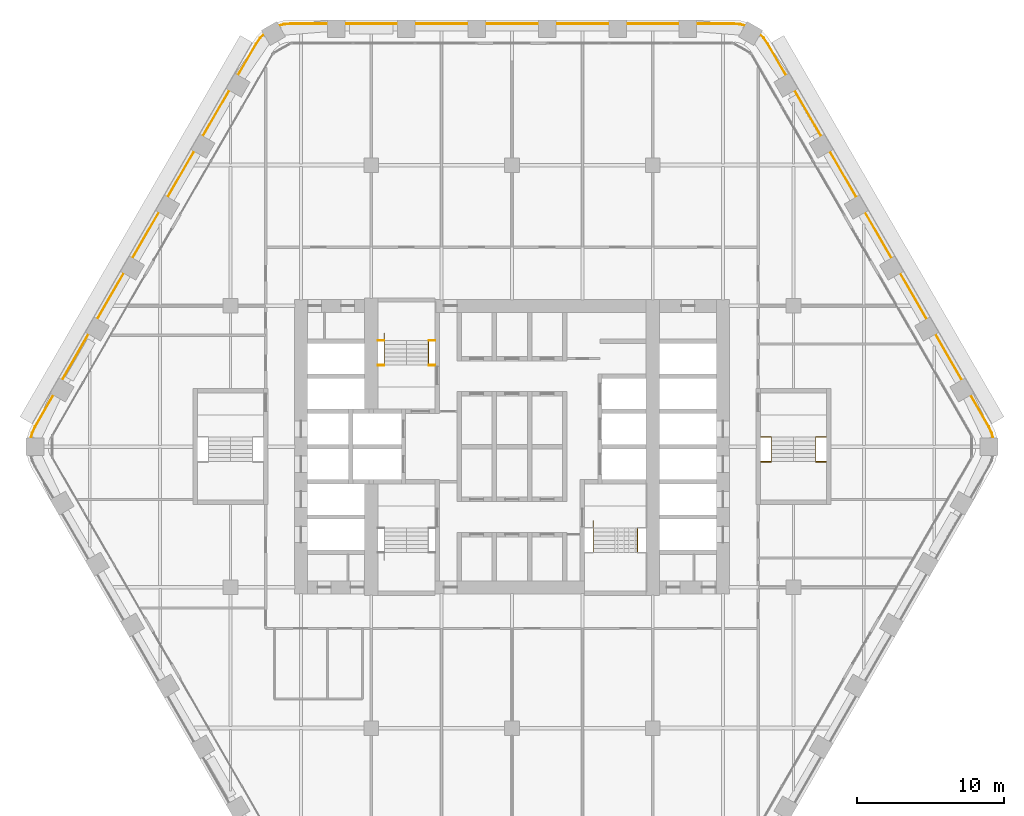
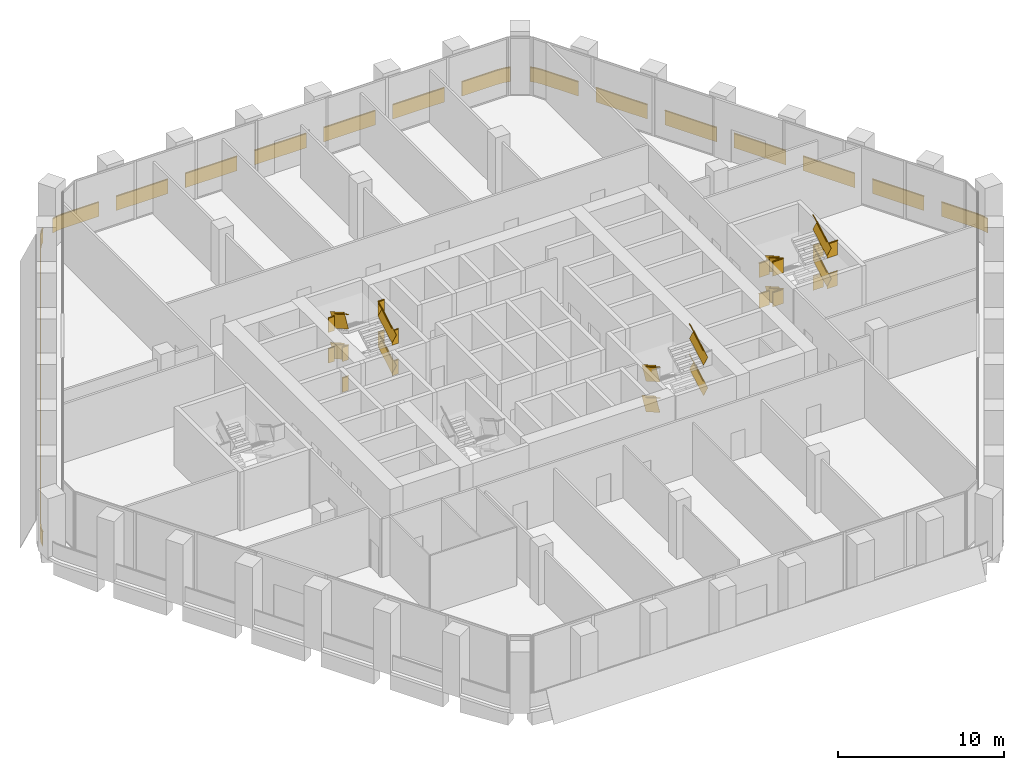
# One storey, part 22 of 22: 8 railings.
"""IFC4 building model written with IfcOpenShell, lengths in metres."""

import ifcopenshell
import ifcopenshell.guid

model = None  # the IFC model being written
_history = None  # IfcOwnerHistory: only IFC2X3 demands one
_inside = {}  # id of a spatial element -> (the spatial element, [elements in it])
_under = {}  # id of a project, library or spatial element -> (it, [spatial elements below it])
_declared = {}  # id of a project -> (the project, [libraries it declares])
_typed = {}  # id of a type object -> (the type object, [elements of that type])
_made_of = {}  # id of a material, layer set ... -> (it, [elements and type objects made of it])


def new_model(schema):
    """Start an empty IFC model of exactly this schema.

    Asked for "IFC4X3", IfcOpenShell would pick the latest addendum, in which some entities
    have other attributes; the version numbers below select the first issue.
    IFC2X3 requires an IfcOwnerHistory on every rooted entity: one is made here for all.
    """
    global model, _history
    if schema == "IFC4X3":
        model = ifcopenshell.file(schema_version=(4, 3, 0, 0))
    else:
        model = ifcopenshell.file(schema=schema)
    _inside.clear()
    _under.clear()
    _declared.clear()
    _typed.clear()
    _made_of.clear()
    _history = None
    if model.schema == "IFC2X3":
        org = make("IfcOrganization", Name="unknown")
        user = make(
            "IfcPersonAndOrganization",
            ThePerson=make("IfcPerson", FamilyName="unknown"),
            TheOrganization=org,
        )
        app = make(
            "IfcApplication",
            ApplicationDeveloper=org,
            Version="unknown",
            ApplicationFullName="unknown",
            ApplicationIdentifier="unknown",
        )
        _history = make(
            "IfcOwnerHistory",
            OwningUser=user,
            OwningApplication=app,
            ChangeAction="ADDED",
            CreationDate=0,
        )
    return model


def make(cls, **values):
    """One entity of the class cls with the attributes given. An attribute that is None is left unset."""
    return model.create_entity(
        cls, **{name: value for name, value in values.items() if value is not None}
    )


def rooted(cls, **values):
    """An entity with a GlobalId (a new one), such as an element, a storey or a relation."""
    return make(cls, GlobalId=ifcopenshell.guid.new(), OwnerHistory=_history, **values)


def si_unit(unit_type, name, prefix=None):
    """IfcSIUnit, for example si_unit("LENGTHUNIT", "METRE", prefix="MILLI")."""
    return make("IfcSIUnit", UnitType=unit_type, Prefix=prefix, Name=name)


def assignment(units):
    """IfcUnitAssignment: the units of a project."""
    return None if units is None else make("IfcUnitAssignment", Units=units)


def point(xyz):
    """IfcCartesianPoint."""
    return None if xyz is None else make("IfcCartesianPoint", Coordinates=xyz)


def direction(xyz):
    """IfcDirection."""
    return None if xyz is None else make("IfcDirection", DirectionRatios=xyz)


def frame(location, z_axis=None, x_axis=None):
    """IfcAxis2Placement3D, a coordinate frame: its origin and axes. An axis left out is left unset."""
    return make(
        "IfcAxis2Placement3D",
        Location=point(location),
        Axis=direction(z_axis),
        RefDirection=direction(x_axis),
    )


def frame_2d(location, x_axis=None):
    """IfcAxis2Placement2D, a coordinate frame in the plane: its origin and x axis."""
    return make(
        "IfcAxis2Placement2D", Location=point(location), RefDirection=direction(x_axis)
    )


def origin():
    """The frame at (0, 0, 0) with its axes left unset."""
    return frame((0.0, 0.0, 0.0))


def origin_2d():
    """The frame at (0, 0) in the plane with its x axis left unset."""
    return frame_2d((0.0, 0.0))


def place(relative_to, where):
    """IfcLocalPlacement: puts the frame where relative to a parent placement (None: the world)."""
    return make(
        "IfcLocalPlacement", PlacementRelTo=relative_to, RelativePlacement=where
    )


def context(
    kind, dimensions, precision=None, world=None, true_north=None, identifier=None
):
    """IfcGeometricRepresentationContext, for example the 3D "Model" context."""
    return make(
        "IfcGeometricRepresentationContext",
        ContextIdentifier=identifier,
        ContextType=kind,
        CoordinateSpaceDimension=dimensions,
        Precision=precision,
        WorldCoordinateSystem=world,
        TrueNorth=true_north,
    )


def subcontext(parent, identifier, kind, view, scale=None):
    """IfcGeometricRepresentationSubContext, for example "Body" below "Model"."""
    return make(
        "IfcGeometricRepresentationSubContext",
        ContextIdentifier=identifier,
        ContextType=kind,
        ParentContext=parent,
        TargetScale=scale,
        TargetView=view,
    )


def project(units=None, contexts=None):
    """IfcProject with its units and contexts."""
    return rooted(
        "IfcProject",
        Name="project",
        RepresentationContexts=contexts,
        UnitsInContext=assignment(units),
    )


def spatial(cls, under=None, at=None, **own):
    """A site, building, storey or space (cls), placed at a placement, below another one or the project."""
    s = rooted(cls, ObjectPlacement=at, **own)
    if under is not None:
        _under.setdefault(under.id(), (under, []))[1].append(s)
    return s


def profile(cls, at=None, kind="AREA", **sizes):
    """A parametric profile (cls). Its sizes go by their IFC names, for example OverallWidth=200.0."""
    return make(cls, ProfileType=kind, Position=at, **sizes)


def rectangle(**sizes):
    """IfcRectangleProfileDef."""
    return profile("IfcRectangleProfileDef", **sizes)


def extrude(swept, where, along, depth):
    """IfcExtrudedAreaSolid: the profile swept, set in the frame where, extruded along a direction by depth."""
    return make(
        "IfcExtrudedAreaSolid",
        SweptArea=swept,
        Position=where,
        ExtrudedDirection=direction(along),
        Depth=depth,
    )


def shape(context_of_items, identifier, shape_type, items):
    """IfcShapeRepresentation: the items that make up one representation, for example the "Body"."""
    return make(
        "IfcShapeRepresentation",
        ContextOfItems=context_of_items,
        RepresentationIdentifier=identifier,
        RepresentationType=shape_type,
        Items=items,
    )


def material(Name=None, Category=None):
    """IfcMaterial."""
    return make("IfcMaterial", Name=Name, Category=Category)


def made_of(thing, what):
    """Note that an element or type object is made of a material, layer set ...; save() writes the relation."""
    if what is not None:
        _made_of.setdefault(what.id(), (what, []))[1].append(thing)
    return thing


def type_object(cls, material=None, **own):
    """A type object (cls), such as IfcWallType, which elements share."""
    return made_of(rooted(cls, **own), material)


def element(
    cls,
    number,
    at=None,
    inside=None,
    cuts=None,
    type_object=None,
    material=None,
    context=None,
    identifier="Body",
    shape_type=None,
    held_by="IfcProductDefinitionShape",
    body=None,
    shapes=None,
    **own,
):
    """One element of the class cls, such as IfcWall. Its Tag is "e" and its number.

    at: its placement. inside: the storey or other place that contains it. cuts: it is an
    opening in that element (IfcRelVoidsElement). A single representation is given by context,
    identifier, shape_type and body (its items); several are given by shapes. held_by: the class
    of the entity that holds the representations. save() writes the other relations.
    """
    e = rooted(cls, Tag="e%d" % number, ObjectPlacement=at, **own)
    if body is not None:
        shapes = [shape(context, identifier, shape_type, body)]
    if shapes is not None:
        e.Representation = make(held_by, Representations=shapes)
    if inside is not None:
        _inside.setdefault(inside.id(), (inside, []))[1].append(e)
    if cuts is not None:
        rooted(
            "IfcRelVoidsElement", RelatingBuildingElement=cuts, RelatedOpeningElement=e
        )
    if type_object is not None:
        _typed.setdefault(type_object.id(), (type_object, []))[1].append(e)
    return made_of(e, material)


def aggregate(whole, parts):
    """IfcRelAggregates: a whole, such as a stair, and the parts it consists of."""
    return rooted("IfcRelAggregates", RelatingObject=whole, RelatedObjects=parts)


def save(model, path):
    """Write the relations noted so far, then the file.

    IfcRelAggregates (storeys below a building ...), IfcRelContainedInSpatialStructure (elements
    in a storey), IfcRelDefinesByType, IfcRelAssociatesMaterial and IfcRelDeclares: one each for
    every whole, place, type object, material and project.
    """
    for whole, parts in _under.values():
        aggregate(whole, parts)
    for where, things in _inside.values():
        rooted(
            "IfcRelContainedInSpatialStructure",
            RelatedElements=things,
            RelatingStructure=where,
        )
    for kind, things in _typed.values():
        rooted("IfcRelDefinesByType", RelatedObjects=things, RelatingType=kind)
    for what, things in _made_of.values():
        rooted("IfcRelAssociatesMaterial", RelatedObjects=things, RelatingMaterial=what)
    for by, libraries in _declared.values():
        rooted("IfcRelDeclares", RelatingContext=by, RelatedDefinitions=libraries)
    model.write(path)


model = new_model("IFC4")

# Units and contexts
model_context = context("Model", 3, precision=1e-05, world=origin(), true_north=direction((0.0, 1.0)))
body_context = subcontext(model_context, "Body", "Model", "MODEL_VIEW")
ifc_project = project(units=[si_unit("LENGTHUNIT", "METRE"), si_unit("AREAUNIT", "SQUARE_METRE"), si_unit("VOLUMEUNIT", "CUBIC_METRE"), si_unit("PLANEANGLEUNIT", "RADIAN"), si_unit("MASSUNIT", "GRAM", prefix="KILO")], contexts=[model_context])

# Site, building, storey
site_placement = place(None, origin())
site = spatial("IfcSite", under=ifc_project, at=site_placement, CompositionType="ELEMENT")
building_placement = place(site_placement, origin())
building = spatial("IfcBuilding", under=site, at=building_placement, Name="Kolab Exchange Tower", CompositionType="ELEMENT")
storey_placement = place(building_placement, frame((0.0, 0.0, 113.89990234375)))
storey = spatial("IfcBuildingStorey", under=building, at=storey_placement, Name="L22", CompositionType="ELEMENT", Elevation=113.89990234375)

# Railings
ifc_material_1 = material(Name="Stainless steel 316", Category="steel")
railing_type_1 = type_object("IfcRailingType", Name="GUARD 1100", PredefinedType="GUARDRAIL", material=ifc_material_1)
railing_1_placement = place(storey_placement, frame((-9.14990234375, 5.550048828125, 0.0)))
element("IfcRailing", 1, at=railing_1_placement, inside=storey, type_object=railing_type_1, Name="Guard ST1", PredefinedType="GUARDRAIL", context=body_context, shape_type="SweptSolid", body=[
    extrude(rectangle(XDim=0.05, YDim=0.05, at=origin_2d()), frame((0.0, 0.0, 1.0751953125), z_axis=(1.0, 0.0, 0.0), x_axis=(0.0, 1.0, 0.0)), (0.0, 0.0, 1.0), 0.43994140625),
    extrude(rectangle(XDim=0.012, YDim=1.05009765625, at=frame_2d((0.0, 0.525146484375))), frame((0.0, 0.0, 0.0), z_axis=(1.0, 0.0, 0.0), x_axis=(0.0, 1.0, 0.0)), (0.0, 0.0, 1.0), 0.43994140625),
    extrude(rectangle(XDim=0.05, YDim=0.05, at=origin_2d()), frame((3.4599609375, 0.0, 1.0751953125), z_axis=(1.0, 0.0, 0.0), x_axis=(0.0, 1.0, 0.0)), (0.0, 0.0, 1.0), 0.43994140625),
    extrude(rectangle(XDim=0.012, YDim=1.05009765625, at=frame_2d((0.0, 0.525146484375))), frame((3.4599609375, 0.0, 0.0), z_axis=(1.0, 0.0, 0.0), x_axis=(0.0, 1.0, 0.0)), (0.0, 0.0, 1.0), 0.43994140625),
    extrude(rectangle(XDim=0.05, YDim=0.05, at=origin_2d()), frame((0.0, 1.679931640625, 2.2001953125), z_axis=(1.0, 0.0, 0.0), x_axis=(0.0, 1.0, 0.0)), (0.0, 0.0, 1.0), 0.43994140625),
    extrude(rectangle(XDim=0.012, YDim=1.05009765625, at=frame_2d((0.0, 0.525146484375))), frame((0.0, 1.679931640625, 1.125), z_axis=(1.0, 0.0, 0.0), x_axis=(0.0, 1.0, 0.0)), (0.0, 0.0, 1.0), 0.43994140625),
    extrude(rectangle(XDim=0.05, YDim=0.05, at=origin_2d()), frame((3.4599609375, 1.679931640625, 2.2001953125), z_axis=(1.0, 0.0, 0.0), x_axis=(0.0, 1.0, 0.0)), (0.0, 0.0, 1.0), 0.43994140625),
    extrude(rectangle(XDim=0.012, YDim=1.05009765625, at=frame_2d((0.0, 0.525146484375))), frame((3.4599609375, 1.679931640625, 1.125), z_axis=(1.0, 0.0, 0.0), x_axis=(0.0, 1.0, 0.0)), (0.0, 0.0, 1.0), 0.43994140625),
    extrude(rectangle(XDim=0.05, YDim=0.05, at=origin_2d()), frame((0.0, 0.0, 3.3251953125), z_axis=(1.0, 0.0, 0.0), x_axis=(0.0, 1.0, 0.0)), (0.0, 0.0, 1.0), 0.43994140625),
    extrude(rectangle(XDim=0.012, YDim=1.05009765625, at=frame_2d((0.0, 0.525146484375))), frame((0.0, 0.0, 2.25), z_axis=(1.0, 0.0, 0.0), x_axis=(0.0, 1.0, 0.0)), (0.0, 0.0, 1.0), 0.43994140625),
    extrude(rectangle(XDim=0.05, YDim=0.05, at=origin_2d()), frame((3.4599609375, 0.0, 3.3251953125), z_axis=(1.0, 0.0, 0.0), x_axis=(0.0, 1.0, 0.0)), (0.0, 0.0, 1.0), 0.43994140625),
    extrude(rectangle(XDim=0.012, YDim=1.05009765625, at=frame_2d((0.0, 0.525146484375))), frame((3.4599609375, 0.0, 2.25), z_axis=(1.0, 0.0, 0.0), x_axis=(0.0, 1.0, 0.0)), (0.0, 0.0, 1.0), 0.43994140625),
    extrude(rectangle(XDim=0.05, YDim=0.05, at=origin_2d()), frame((0.0, 1.679931640625, 4.4501953125), z_axis=(1.0, 0.0, 0.0), x_axis=(0.0, 1.0, 0.0)), (0.0, 0.0, 1.0), 0.43994140625),
    extrude(rectangle(XDim=0.012, YDim=1.05009765625, at=frame_2d((0.0, 0.525146484375))), frame((0.0, 1.679931640625, 3.375), z_axis=(1.0, 0.0, 0.0), x_axis=(0.0, 1.0, 0.0)), (0.0, 0.0, 1.0), 0.43994140625),
    extrude(rectangle(XDim=0.05, YDim=0.05, at=origin_2d()), frame((3.4599609375, 1.679931640625, 4.4501953125), z_axis=(1.0, 0.0, 0.0), x_axis=(0.0, 1.0, 0.0)), (0.0, 0.0, 1.0), 0.43994140625),
    extrude(rectangle(XDim=0.012, YDim=1.05009765625, at=frame_2d((0.0, 0.525146484375))), frame((3.4599609375, 1.679931640625, 3.375), z_axis=(1.0, 0.0, 0.0), x_axis=(0.0, 1.0, 0.0)), (0.0, 0.0, 1.0), 0.43994140625),
])
railing_2_placement = place(storey_placement, frame((-5.68994140625, 5.550048828125, 0.160888671875)))
element("IfcRailing", 2, at=railing_2_placement, inside=storey, type_object=railing_type_1, Name="Handrail guard ST1", PredefinedType="GUARDRAIL", context=body_context, shape_type="SweptSolid", body=[
    extrude(rectangle(XDim=0.05, YDim=0.05, at=origin_2d()), frame((0.0, 0.0, 1.0751953125), z_axis=(0.0, 0.867318599139, 0.497753400378), x_axis=(-1.0, 0.0, 0.0)), (0.0, 0.0, 1.0), 1.93701171875),
    extrude(rectangle(XDim=0.012, YDim=1.05009765625, at=frame_2d((0.0, 0.525146484375))), frame((0.0, 0.0, 0.0), z_axis=(0.0, 0.867318599139, 0.497753400378), x_axis=(-1.0, 0.0, 0.0)), (0.0, 0.0, 1.0), 1.93701171875),
    extrude(rectangle(XDim=0.05, YDim=0.05, at=origin_2d()), frame((-3.02001953125, 1.679931640625, 2.2001953125), z_axis=(0.0, -0.867318599139, 0.497753400378), x_axis=(1.0, 0.0, 0.0)), (0.0, 0.0, 1.0), 1.93701171875),
    extrude(rectangle(XDim=0.012, YDim=1.05009765625, at=frame_2d((0.0, 0.525146484375))), frame((-3.02001953125, 1.679931640625, 1.125), z_axis=(0.0, -0.867318599139, 0.497753400378), x_axis=(1.0, 0.0, 0.0)), (0.0, 0.0, 1.0), 1.93701171875),
    extrude(rectangle(XDim=0.05, YDim=0.05, at=origin_2d()), frame((0.0, 0.0, 3.3251953125), z_axis=(0.0, 0.867318599139, 0.497753400378), x_axis=(-1.0, 0.0, 0.0)), (0.0, 0.0, 1.0), 1.93701171875),
    extrude(rectangle(XDim=0.012, YDim=1.05009765625, at=frame_2d((0.0, 0.525146484375))), frame((0.0, 0.0, 2.25), z_axis=(0.0, 0.867318599139, 0.497753400378), x_axis=(-1.0, 0.0, 0.0)), (0.0, 0.0, 1.0), 1.93701171875),
    extrude(rectangle(XDim=0.05, YDim=0.05, at=origin_2d()), frame((-3.02001953125, 1.679931640625, 4.4501953125), z_axis=(0.0, -0.867318599139, 0.497753400378), x_axis=(1.0, 0.0, 0.0)), (0.0, 0.0, 1.0), 1.93701171875),
    extrude(rectangle(XDim=0.012, YDim=1.05009765625, at=frame_2d((0.0, 0.525146484375))), frame((-3.02001953125, 1.679931640625, 3.375), z_axis=(0.0, -0.867318599139, 0.497753400378), x_axis=(1.0, 0.0, 0.0)), (0.0, 0.0, 1.0), 1.93701171875),
])
railing_3_placement = place(storey_placement, frame((5.5400390625, -5.550048828125, 0.160888671875)))
element("IfcRailing", 3, at=railing_3_placement, inside=storey, type_object=railing_type_1, Name="Handrail guard ST2", PredefinedType="GUARDRAIL", context=body_context, shape_type="SweptSolid", body=[
    extrude(rectangle(XDim=0.05, YDim=0.05, at=origin_2d()), frame((0.0, 0.0, 1.0751953125), z_axis=(0.0, -0.867318599139, 0.497753400378), x_axis=(1.0, 0.0, 0.0)), (0.0, 0.0, 1.0), 1.93701171875),
    extrude(rectangle(XDim=0.012, YDim=1.05009765625, at=frame_2d((0.0, 0.525146484375))), frame((0.0, 0.0, 0.0), z_axis=(0.0, -0.867318599139, 0.497753400378), x_axis=(1.0, 0.0, 0.0)), (0.0, 0.0, 1.0), 1.93701171875),
    extrude(rectangle(XDim=0.05, YDim=0.05, at=origin_2d()), frame((3.02001953125, -1.679931640625, 2.2001953125), z_axis=(0.0, 0.867318599139, 0.497753400378), x_axis=(-1.0, 0.0, 0.0)), (0.0, 0.0, 1.0), 1.93701171875),
    extrude(rectangle(XDim=0.012, YDim=1.05009765625, at=frame_2d((0.0, 0.525146484375))), frame((3.02001953125, -1.679931640625, 1.125), z_axis=(0.0, 0.867318599139, 0.497753400378), x_axis=(-1.0, 0.0, 0.0)), (0.0, 0.0, 1.0), 1.93701171875),
    extrude(rectangle(XDim=0.05, YDim=0.05, at=origin_2d()), frame((0.0, 0.0, 3.3251953125), z_axis=(0.0, -0.867318599139, 0.497753400378), x_axis=(1.0, 0.0, 0.0)), (0.0, 0.0, 1.0), 1.93701171875),
    extrude(rectangle(XDim=0.012, YDim=1.05009765625, at=frame_2d((0.0, 0.525146484375))), frame((0.0, 0.0, 2.25), z_axis=(0.0, -0.867318599139, 0.497753400378), x_axis=(1.0, 0.0, 0.0)), (0.0, 0.0, 1.0), 1.93701171875),
    extrude(rectangle(XDim=0.05, YDim=0.05, at=origin_2d()), frame((3.02001953125, -1.679931640625, 4.4501953125), z_axis=(0.0, 0.867318599139, 0.497753400378), x_axis=(-1.0, 0.0, 0.0)), (0.0, 0.0, 1.0), 1.93701171875),
    extrude(rectangle(XDim=0.012, YDim=1.05009765625, at=frame_2d((0.0, 0.525146484375))), frame((3.02001953125, -1.679931640625, 3.375), z_axis=(0.0, 0.867318599139, 0.497753400378), x_axis=(-1.0, 0.0, 0.0)), (0.0, 0.0, 1.0), 1.93701171875),
])
railing_4_placement = place(storey_placement, frame((16.949951171875, 0.64990234375, 0.0)))
element("IfcRailing", 4, at=railing_4_placement, inside=storey, type_object=railing_type_1, Name="Guard ST4", PredefinedType="GUARDRAIL", context=body_context, shape_type="SweptSolid", body=[
    extrude(rectangle(XDim=0.05, YDim=0.05, at=origin_2d()), frame((0.0, 0.0, 1.0751953125), z_axis=(1.0, 0.0, 0.0), x_axis=(0.0, 1.0, 0.0)), (0.0, 0.0, 1.0), 0.739990234375),
    extrude(rectangle(XDim=0.012, YDim=1.05009765625, at=frame_2d((0.0, 0.525146484375))), frame((0.0, 0.0, 0.0), z_axis=(1.0, 0.0, 0.0), x_axis=(0.0, 1.0, 0.0)), (0.0, 0.0, 1.0), 0.739990234375),
    extrude(rectangle(XDim=0.05, YDim=0.05, at=origin_2d()), frame((3.760009765625, 0.0, 1.0751953125), z_axis=(1.0, 0.0, 0.0), x_axis=(0.0, 1.0, 0.0)), (0.0, 0.0, 1.0), 0.739990234375),
    extrude(rectangle(XDim=0.012, YDim=1.05009765625, at=frame_2d((0.0, 0.525146484375))), frame((3.760009765625, 0.0, 0.0), z_axis=(1.0, 0.0, 0.0), x_axis=(0.0, 1.0, 0.0)), (0.0, 0.0, 1.0), 0.739990234375),
    extrude(rectangle(XDim=0.05, YDim=0.05, at=origin_2d()), frame((0.0, -1.679931640625, 2.2001953125), z_axis=(1.0, 0.0, 0.0), x_axis=(0.0, 1.0, 0.0)), (0.0, 0.0, 1.0), 0.739990234375),
    extrude(rectangle(XDim=0.012, YDim=1.05009765625, at=frame_2d((0.0, 0.525146484375))), frame((0.0, -1.679931640625, 1.125), z_axis=(1.0, 0.0, 0.0), x_axis=(0.0, 1.0, 0.0)), (0.0, 0.0, 1.0), 0.739990234375),
    extrude(rectangle(XDim=0.05, YDim=0.05, at=origin_2d()), frame((3.760009765625, -1.679931640625, 2.2001953125), z_axis=(1.0, 0.0, 0.0), x_axis=(0.0, 1.0, 0.0)), (0.0, 0.0, 1.0), 0.739990234375),
    extrude(rectangle(XDim=0.012, YDim=1.05009765625, at=frame_2d((0.0, 0.525146484375))), frame((3.760009765625, -1.679931640625, 1.125), z_axis=(1.0, 0.0, 0.0), x_axis=(0.0, 1.0, 0.0)), (0.0, 0.0, 1.0), 0.739990234375),
    extrude(rectangle(XDim=0.05, YDim=0.05, at=origin_2d()), frame((0.0, 0.0, 3.3251953125), z_axis=(1.0, 0.0, 0.0), x_axis=(0.0, 1.0, 0.0)), (0.0, 0.0, 1.0), 0.739990234375),
    extrude(rectangle(XDim=0.012, YDim=1.05009765625, at=frame_2d((0.0, 0.525146484375))), frame((0.0, 0.0, 2.25), z_axis=(1.0, 0.0, 0.0), x_axis=(0.0, 1.0, 0.0)), (0.0, 0.0, 1.0), 0.739990234375),
    extrude(rectangle(XDim=0.05, YDim=0.05, at=origin_2d()), frame((3.760009765625, 0.0, 3.3251953125), z_axis=(1.0, 0.0, 0.0), x_axis=(0.0, 1.0, 0.0)), (0.0, 0.0, 1.0), 0.739990234375),
    extrude(rectangle(XDim=0.012, YDim=1.05009765625, at=frame_2d((0.0, 0.525146484375))), frame((3.760009765625, 0.0, 2.25), z_axis=(1.0, 0.0, 0.0), x_axis=(0.0, 1.0, 0.0)), (0.0, 0.0, 1.0), 0.739990234375),
    extrude(rectangle(XDim=0.05, YDim=0.05, at=origin_2d()), frame((0.0, -1.679931640625, 4.4501953125), z_axis=(1.0, 0.0, 0.0), x_axis=(0.0, 1.0, 0.0)), (0.0, 0.0, 1.0), 0.739990234375),
    extrude(rectangle(XDim=0.012, YDim=1.05009765625, at=frame_2d((0.0, 0.525146484375))), frame((0.0, -1.679931640625, 3.375), z_axis=(1.0, 0.0, 0.0), x_axis=(0.0, 1.0, 0.0)), (0.0, 0.0, 1.0), 0.739990234375),
    extrude(rectangle(XDim=0.05, YDim=0.05, at=origin_2d()), frame((3.760009765625, -1.679931640625, 4.4501953125), z_axis=(1.0, 0.0, 0.0), x_axis=(0.0, 1.0, 0.0)), (0.0, 0.0, 1.0), 0.739990234375),
    extrude(rectangle(XDim=0.012, YDim=1.05009765625, at=frame_2d((0.0, 0.525146484375))), frame((3.760009765625, -1.679931640625, 3.375), z_axis=(1.0, 0.0, 0.0), x_axis=(0.0, 1.0, 0.0)), (0.0, 0.0, 1.0), 0.739990234375),
])
railing_5_placement = place(storey_placement, frame((17.68994140625, 0.64990234375, 0.160888671875)))
element("IfcRailing", 5, at=railing_5_placement, inside=storey, type_object=railing_type_1, Name="Handrail guard ST4", PredefinedType="GUARDRAIL", context=body_context, shape_type="SweptSolid", body=[
    extrude(rectangle(XDim=0.05, YDim=0.05, at=origin_2d()), frame((0.0, 0.0, 1.0751953125), z_axis=(0.0, -0.867318599139, 0.497753400378), x_axis=(1.0, 0.0, 0.0)), (0.0, 0.0, 1.0), 1.93701171875),
    extrude(rectangle(XDim=0.012, YDim=1.05009765625, at=frame_2d((0.0, 0.525146484375))), frame((0.0, 0.0, 0.0), z_axis=(0.0, -0.867318599139, 0.497753400378), x_axis=(1.0, 0.0, 0.0)), (0.0, 0.0, 1.0), 1.93701171875),
    extrude(rectangle(XDim=0.05, YDim=0.05, at=origin_2d()), frame((3.02001953125, -1.679931640625, 2.2001953125), z_axis=(0.0, 0.867318599139, 0.497753400378), x_axis=(-1.0, 0.0, 0.0)), (0.0, 0.0, 1.0), 1.93701171875),
    extrude(rectangle(XDim=0.012, YDim=1.05009765625, at=frame_2d((0.0, 0.525146484375))), frame((3.02001953125, -1.679931640625, 1.125), z_axis=(0.0, 0.867318599139, 0.497753400378), x_axis=(-1.0, 0.0, 0.0)), (0.0, 0.0, 1.0), 1.93701171875),
    extrude(rectangle(XDim=0.05, YDim=0.05, at=origin_2d()), frame((0.0, 0.0, 3.3251953125), z_axis=(0.0, -0.867318599139, 0.497753400378), x_axis=(1.0, 0.0, 0.0)), (0.0, 0.0, 1.0), 1.93701171875),
    extrude(rectangle(XDim=0.012, YDim=1.05009765625, at=frame_2d((0.0, 0.525146484375))), frame((0.0, 0.0, 2.25), z_axis=(0.0, -0.867318599139, 0.497753400378), x_axis=(1.0, 0.0, 0.0)), (0.0, 0.0, 1.0), 1.93701171875),
    extrude(rectangle(XDim=0.05, YDim=0.05, at=origin_2d()), frame((3.02001953125, -1.679931640625, 4.4501953125), z_axis=(0.0, 0.867318599139, 0.497753400378), x_axis=(-1.0, 0.0, 0.0)), (0.0, 0.0, 1.0), 1.93701171875),
    extrude(rectangle(XDim=0.012, YDim=1.05009765625, at=frame_2d((0.0, 0.525146484375))), frame((3.02001953125, -1.679931640625, 3.375), z_axis=(0.0, 0.867318599139, 0.497753400378), x_axis=(-1.0, 0.0, 0.0)), (0.0, 0.0, 1.0), 1.93701171875),
])
ifc_material_2 = material(Name="Steel S235", Category="steel")
railing_type_2 = type_object("IfcRailingType", Name="GUARD 1100 GLASS BALUSTRADE AND STEEL TOP RAIL", PredefinedType="GUARDRAIL", material=ifc_material_2)
railing_6_placement = place(storey_placement, frame((15.89208984375, 28.7138671875, 0.0)))
element("IfcRailing", 6, at=railing_6_placement, inside=storey, type_object=railing_type_2, Name="Guard", PredefinedType="GUARDRAIL", context=body_context, shape_type="SweptSolid", body=[
    extrude(rectangle(XDim=0.05, YDim=0.05, at=origin_2d()), frame((0.0, 0.0, 1.0751953125), z_axis=(-0.966008746817, 0.258509382951, 0.0), x_axis=(-0.258509382951, -0.966008746817, 0.0)), (0.0, 0.0, 1.0), 0.35888671875),
    extrude(rectangle(XDim=0.012, YDim=1.05009765625, at=frame_2d((0.0, 0.525146484375))), frame((0.0, 0.0, 0.0), z_axis=(-0.966008746817, 0.258509382951, 0.0), x_axis=(-0.258509382951, -0.966008746817, 0.0)), (0.0, 0.0, 1.0), 0.35888671875),
    extrude(rectangle(XDim=0.05, YDim=0.05, at=origin_2d()), frame((-0.3466796875, 0.0927734375, 1.0751953125), z_axis=(-0.996200348447, 0.087091134757, 0.0), x_axis=(-0.087091134757, -0.996200348447, 0.0)), (0.0, 0.0, 1.0), 0.479248046875),
    extrude(rectangle(XDim=0.012, YDim=1.05009765625, at=frame_2d((0.0, 0.525146484375))), frame((-0.3466796875, 0.0927734375, 0.0), z_axis=(-0.996200348447, 0.087091134757, 0.0), x_axis=(-0.087091134757, -0.996200348447, 0.0)), (0.0, 0.0, 1.0), 0.479248046875),
    extrude(rectangle(XDim=0.05, YDim=0.05, at=origin_2d()), frame((-0.82421875, 0.134521484375, 1.0751953125), z_axis=(-1.0, 0.0, 0.0), x_axis=(0.0, -1.0, 0.0)), (0.0, 0.0, 1.0), 2.4677734375),
    extrude(rectangle(XDim=0.012, YDim=1.05009765625, at=frame_2d((0.0, 0.525146484375))), frame((-0.82421875, 0.134521484375, 0.0), z_axis=(-1.0, 0.0, 0.0), x_axis=(0.0, -1.0, 0.0)), (0.0, 0.0, 1.0), 2.4677734375),
    extrude(rectangle(XDim=0.05, YDim=0.05, at=origin_2d()), frame((-4.4921875, 0.134521484375, 1.0751953125), z_axis=(-1.0, 0.0, 0.0), x_axis=(0.0, -1.0, 0.0)), (0.0, 0.0, 1.0), 3.599853515625),
    extrude(rectangle(XDim=0.012, YDim=1.05009765625, at=frame_2d((0.0, 0.525146484375))), frame((-4.4921875, 0.134521484375, 0.0), z_axis=(-1.0, 0.0, 0.0), x_axis=(0.0, -1.0, 0.0)), (0.0, 0.0, 1.0), 3.599853515625),
    extrude(rectangle(XDim=0.05, YDim=0.05, at=origin_2d()), frame((-9.2919921875, 0.134521484375, 1.0751953125), z_axis=(-1.0, 0.0, 0.0), x_axis=(0.0, -1.0, 0.0)), (0.0, 0.0, 1.0), 3.60009765625),
    extrude(rectangle(XDim=0.012, YDim=1.05009765625, at=frame_2d((0.0, 0.525146484375))), frame((-9.2919921875, 0.134521484375, 0.0), z_axis=(-1.0, 0.0, 0.0), x_axis=(0.0, -1.0, 0.0)), (0.0, 0.0, 1.0), 3.60009765625),
    extrude(rectangle(XDim=0.05, YDim=0.05, at=origin_2d()), frame((-14.092041015625, 0.134521484375, 1.0751953125), z_axis=(-1.0, 0.0, 0.0), x_axis=(0.0, -1.0, 0.0)), (0.0, 0.0, 1.0), 3.60009765625),
    extrude(rectangle(XDim=0.012, YDim=1.05009765625, at=frame_2d((0.0, 0.525146484375))), frame((-14.092041015625, 0.134521484375, 0.0), z_axis=(-1.0, 0.0, 0.0), x_axis=(0.0, -1.0, 0.0)), (0.0, 0.0, 1.0), 3.60009765625),
    extrude(rectangle(XDim=0.05, YDim=0.05, at=origin_2d()), frame((-18.89208984375, 0.134521484375, 1.0751953125), z_axis=(-1.0, 0.0, 0.0), x_axis=(0.0, -1.0, 0.0)), (0.0, 0.0, 1.0), 3.60009765625),
    extrude(rectangle(XDim=0.012, YDim=1.05009765625, at=frame_2d((0.0, 0.525146484375))), frame((-18.89208984375, 0.134521484375, 0.0), z_axis=(-1.0, 0.0, 0.0), x_axis=(0.0, -1.0, 0.0)), (0.0, 0.0, 1.0), 3.60009765625),
    extrude(rectangle(XDim=0.05, YDim=0.05, at=origin_2d()), frame((-23.692138671875, 0.134521484375, 1.0751953125), z_axis=(-1.0, 0.0, 0.0), x_axis=(0.0, -1.0, 0.0)), (0.0, 0.0, 1.0), 3.599853515625),
    extrude(rectangle(XDim=0.012, YDim=1.05009765625, at=frame_2d((0.0, 0.525146484375))), frame((-23.692138671875, 0.134521484375, 0.0), z_axis=(-1.0, 0.0, 0.0), x_axis=(0.0, -1.0, 0.0)), (0.0, 0.0, 1.0), 3.599853515625),
    extrude(rectangle(XDim=0.05, YDim=0.05, at=origin_2d()), frame((-28.4921875, 0.134521484375, 1.0751953125), z_axis=(-1.0, 0.0, 0.0), x_axis=(0.0, -1.0, 0.0)), (0.0, 0.0, 1.0), 2.4677734375),
    extrude(rectangle(XDim=0.012, YDim=1.05009765625, at=frame_2d((0.0, 0.525146484375))), frame((-28.4921875, 0.134521484375, 0.0), z_axis=(-1.0, 0.0, 0.0), x_axis=(0.0, -1.0, 0.0)), (0.0, 0.0, 1.0), 2.4677734375),
    extrude(rectangle(XDim=0.05, YDim=0.05, at=origin_2d()), frame((-30.9599609375, 0.134521484375, 1.0751953125), z_axis=(-0.996200348447, -0.087091134757, 0.0), x_axis=(0.087091134757, -0.996200348447, 0.0)), (0.0, 0.0, 1.0), 0.479248046875),
    extrude(rectangle(XDim=0.012, YDim=1.05009765625, at=frame_2d((0.0, 0.525146484375))), frame((-30.9599609375, 0.134521484375, 0.0), z_axis=(-0.996200348447, -0.087091134757, 0.0), x_axis=(0.087091134757, -0.996200348447, 0.0)), (0.0, 0.0, 1.0), 0.479248046875),
    extrude(rectangle(XDim=0.05, YDim=0.05, at=origin_2d()), frame((-31.4375, 0.0927734375, 1.0751953125), z_axis=(-0.966008746817, -0.258509382951, 0.0), x_axis=(0.258509382951, -0.966008746817, 0.0)), (0.0, 0.0, 1.0), 0.35888671875),
    extrude(rectangle(XDim=0.012, YDim=1.05009765625, at=frame_2d((0.0, 0.525146484375))), frame((-31.4375, 0.0927734375, 0.0), z_axis=(-0.966008746817, -0.258509382951, 0.0), x_axis=(0.258509382951, -0.966008746817, 0.0)), (0.0, 0.0, 1.0), 0.35888671875),
])
railing_7_placement = place(storey_placement, frame((32.81298828125, 0.593994140625, 0.0)))
element("IfcRailing", 7, at=railing_7_placement, inside=storey, type_object=railing_type_2, Name="Guard", PredefinedType="GUARDRAIL", context=body_context, shape_type="SweptSolid", body=[
    extrude(rectangle(XDim=0.05, YDim=0.05, at=origin_2d()), frame((0.0, 0.0, 1.0751953125), z_axis=(-0.259144041577, 0.965838685141, 0.0), x_axis=(-0.965838685141, -0.259144041577, 0.0)), (0.0, 0.0, 1.0), 0.35888671875),
    extrude(rectangle(XDim=0.012, YDim=1.05009765625, at=frame_2d((0.0, 0.525146484375))), frame((0.0, 0.0, 0.0), z_axis=(-0.259144041577, 0.965838685141, 0.0), x_axis=(-0.965838685141, -0.259144041577, 0.0)), (0.0, 0.0, 1.0), 0.35888671875),
    extrude(rectangle(XDim=0.05, YDim=0.05, at=origin_2d()), frame((-0.093017578125, 0.3466796875, 1.0751953125), z_axis=(-0.422383329074, 0.906417300872, 0.0), x_axis=(-0.906417300872, -0.422383329074, 0.0)), (0.0, 0.0, 1.0), 0.479248046875),
    extrude(rectangle(XDim=0.012, YDim=1.05009765625, at=frame_2d((0.0, 0.525146484375))), frame((-0.093017578125, 0.3466796875, 0.0), z_axis=(-0.422383329074, 0.906417300872, 0.0), x_axis=(-0.906417300872, -0.422383329074, 0.0)), (0.0, 0.0, 1.0), 0.479248046875),
    extrude(rectangle(XDim=0.05, YDim=0.05, at=origin_2d()), frame((-0.29541015625, 0.781005859375, 1.0751953125), z_axis=(-0.500064973171, 0.865987888257, 0.0), x_axis=(-0.865987888257, -0.500064973171, 0.0)), (0.0, 0.0, 1.0), 2.468017578125),
    extrude(rectangle(XDim=0.012, YDim=1.05009765625, at=frame_2d((0.0, 0.525146484375))), frame((-0.29541015625, 0.781005859375, 0.0), z_axis=(-0.500064973171, 0.865987888257, 0.0), x_axis=(-0.865987888257, -0.500064973171, 0.0)), (0.0, 0.0, 1.0), 2.468017578125),
    extrude(rectangle(XDim=0.05, YDim=0.05, at=origin_2d()), frame((-2.12939453125, 3.95751953125, 1.0751953125), z_axis=(-0.500012057535, 0.866018442252, 0.0), x_axis=(-0.866018442252, -0.500012057535, 0.0)), (0.0, 0.0, 1.0), 3.60009765625),
    extrude(rectangle(XDim=0.012, YDim=1.05009765625, at=frame_2d((0.0, 0.525146484375))), frame((-2.12939453125, 3.95751953125, 0.0), z_axis=(-0.500012057535, 0.866018442252, 0.0), x_axis=(-0.866018442252, -0.500012057535, 0.0)), (0.0, 0.0, 1.0), 3.60009765625),
    extrude(rectangle(XDim=0.05, YDim=0.05, at=origin_2d()), frame((-4.529541015625, 8.114501953125, 1.0751953125), z_axis=(-0.500012057535, 0.866018442252, 0.0), x_axis=(-0.866018442252, -0.500012057535, 0.0)), (0.0, 0.0, 1.0), 3.60009765625),
    extrude(rectangle(XDim=0.012, YDim=1.05009765625, at=frame_2d((0.0, 0.525146484375))), frame((-4.529541015625, 8.114501953125, 0.0), z_axis=(-0.500012057535, 0.866018442252, 0.0), x_axis=(-0.866018442252, -0.500012057535, 0.0)), (0.0, 0.0, 1.0), 3.60009765625),
    extrude(rectangle(XDim=0.05, YDim=0.05, at=origin_2d()), frame((-6.929443359375, 12.271484375, 1.0751953125), z_axis=(-0.500012057535, 0.866018442252, 0.0), x_axis=(-0.866018442252, -0.500012057535, 0.0)), (0.0, 0.0, 1.0), 3.60009765625),
    extrude(rectangle(XDim=0.012, YDim=1.05009765625, at=frame_2d((0.0, 0.525146484375))), frame((-6.929443359375, 12.271484375, 0.0), z_axis=(-0.500012057535, 0.866018442252, 0.0), x_axis=(-0.866018442252, -0.500012057535, 0.0)), (0.0, 0.0, 1.0), 3.60009765625),
    extrude(rectangle(XDim=0.05, YDim=0.05, at=origin_2d()), frame((-9.32958984375, 16.42822265625, 1.0751953125), z_axis=(-0.499961193289, 0.866047807691, 0.0), x_axis=(-0.866047807691, -0.499961193289, 0.0)), (0.0, 0.0, 1.0), 3.599853515625),
    extrude(rectangle(XDim=0.012, YDim=1.05009765625, at=frame_2d((0.0, 0.525146484375))), frame((-9.32958984375, 16.42822265625, 0.0), z_axis=(-0.499961193289, 0.866047807691, 0.0), x_axis=(-0.866047807691, -0.499961193289, 0.0)), (0.0, 0.0, 1.0), 3.599853515625),
    extrude(rectangle(XDim=0.05, YDim=0.05, at=origin_2d()), frame((-11.7294921875, 20.585205078125, 1.0751953125), z_axis=(-0.500012057535, 0.866018442252, 0.0), x_axis=(-0.866018442252, -0.500012057535, 0.0)), (0.0, 0.0, 1.0), 3.60009765625),
    extrude(rectangle(XDim=0.012, YDim=1.05009765625, at=frame_2d((0.0, 0.525146484375))), frame((-11.7294921875, 20.585205078125, 0.0), z_axis=(-0.500012057535, 0.866018442252, 0.0), x_axis=(-0.866018442252, -0.500012057535, 0.0)), (0.0, 0.0, 1.0), 3.60009765625),
    extrude(rectangle(XDim=0.05, YDim=0.05, at=origin_2d()), frame((-14.12939453125, 24.7421875, 1.0751953125), z_axis=(-0.500064973171, 0.865987888257, 0.0), x_axis=(-0.865987888257, -0.500064973171, 0.0)), (0.0, 0.0, 1.0), 2.468017578125),
    extrude(rectangle(XDim=0.012, YDim=1.05009765625, at=frame_2d((0.0, 0.525146484375))), frame((-14.12939453125, 24.7421875, 0.0), z_axis=(-0.500064973171, 0.865987888257, 0.0), x_axis=(-0.865987888257, -0.500064973171, 0.0)), (0.0, 0.0, 1.0), 2.468017578125),
    extrude(rectangle(XDim=0.05, YDim=0.05, at=origin_2d()), frame((-15.363525390625, 26.87939453125, 1.0751953125), z_axis=(-0.573359816273, 0.819303680624, 0.0), x_axis=(-0.819303680624, -0.573359816273, 0.0)), (0.0, 0.0, 1.0), 0.4794921875),
    extrude(rectangle(XDim=0.012, YDim=1.05009765625, at=frame_2d((0.0, 0.525146484375))), frame((-15.363525390625, 26.87939453125, 0.0), z_axis=(-0.573359816273, 0.819303680624, 0.0), x_axis=(-0.819303680624, -0.573359816273, 0.0)), (0.0, 0.0, 1.0), 0.4794921875),
    extrude(rectangle(XDim=0.05, YDim=0.05, at=origin_2d()), frame((-15.638427734375, 27.272216796875, 1.0751953125), z_axis=(-0.707106781187, 0.707106781187, 0.0), x_axis=(-0.707106781187, -0.707106781187, 0.0)), (0.0, 0.0, 1.0), 0.358642578125),
    extrude(rectangle(XDim=0.012, YDim=1.05009765625, at=frame_2d((0.0, 0.525146484375))), frame((-15.638427734375, 27.272216796875, 0.0), z_axis=(-0.707106781187, 0.707106781187, 0.0), x_axis=(-0.707106781187, -0.707106781187, 0.0)), (0.0, 0.0, 1.0), 0.358642578125),
])
railing_8_placement = place(storey_placement, frame((-16.9208984375, 28.119873046875, 0.0)))
element("IfcRailing", 8, at=railing_8_placement, inside=storey, type_object=railing_type_2, Name="Guard", PredefinedType="GUARDRAIL", context=body_context, shape_type="SweptSolid", body=[
    extrude(rectangle(XDim=0.05, YDim=0.05, at=origin_2d()), frame((0.0, 0.0, 1.0751953125), z_axis=(-0.707106781187, -0.707106781187, 0.0), x_axis=(0.707106781187, -0.707106781187, 0.0)), (0.0, 0.0, 1.0), 0.358642578125),
    extrude(rectangle(XDim=0.012, YDim=1.05009765625, at=frame_2d((0.0, 0.525146484375))), frame((0.0, 0.0, 0.0), z_axis=(-0.707106781187, -0.707106781187, 0.0), x_axis=(0.707106781187, -0.707106781187, 0.0)), (0.0, 0.0, 1.0), 0.358642578125),
    extrude(rectangle(XDim=0.05, YDim=0.05, at=origin_2d()), frame((-0.253662109375, -0.253662109375, 1.0751953125), z_axis=(-0.573359816273, -0.819303680624, 0.0), x_axis=(0.819303680624, -0.573359816273, 0.0)), (0.0, 0.0, 1.0), 0.4794921875),
    extrude(rectangle(XDim=0.012, YDim=1.05009765625, at=frame_2d((0.0, 0.525146484375))), frame((-0.253662109375, -0.253662109375, 0.0), z_axis=(-0.573359816273, -0.819303680624, 0.0), x_axis=(0.819303680624, -0.573359816273, 0.0)), (0.0, 0.0, 1.0), 0.4794921875),
    extrude(rectangle(XDim=0.05, YDim=0.05, at=origin_2d()), frame((-0.528564453125, -0.646484375, 1.0751953125), z_axis=(-0.500064973171, -0.865987888257, 0.0), x_axis=(0.865987888257, -0.500064973171, 0.0)), (0.0, 0.0, 1.0), 2.468017578125),
    extrude(rectangle(XDim=0.012, YDim=1.05009765625, at=frame_2d((0.0, 0.525146484375))), frame((-0.528564453125, -0.646484375, 0.0), z_axis=(-0.500064973171, -0.865987888257, 0.0), x_axis=(0.865987888257, -0.500064973171, 0.0)), (0.0, 0.0, 1.0), 2.468017578125),
    extrude(rectangle(XDim=0.05, YDim=0.05, at=origin_2d()), frame((-2.362548828125, -3.822998046875, 1.0751953125), z_axis=(-0.500012057535, -0.866018442252, 0.0), x_axis=(0.866018442252, -0.500012057535, 0.0)), (0.0, 0.0, 1.0), 3.60009765625),
    extrude(rectangle(XDim=0.012, YDim=1.05009765625, at=frame_2d((0.0, 0.525146484375))), frame((-2.362548828125, -3.822998046875, 0.0), z_axis=(-0.500012057535, -0.866018442252, 0.0), x_axis=(0.866018442252, -0.500012057535, 0.0)), (0.0, 0.0, 1.0), 3.60009765625),
    extrude(rectangle(XDim=0.05, YDim=0.05, at=origin_2d()), frame((-4.7626953125, -7.97998046875, 1.0751953125), z_axis=(-0.499961193289, -0.866047807691, 0.0), x_axis=(0.866047807691, -0.499961193289, 0.0)), (0.0, 0.0, 1.0), 3.599853515625),
    extrude(rectangle(XDim=0.012, YDim=1.05009765625, at=frame_2d((0.0, 0.525146484375))), frame((-4.7626953125, -7.97998046875, 0.0), z_axis=(-0.499961193289, -0.866047807691, 0.0), x_axis=(0.866047807691, -0.499961193289, 0.0)), (0.0, 0.0, 1.0), 3.599853515625),
    extrude(rectangle(XDim=0.05, YDim=0.05, at=origin_2d()), frame((-7.16259765625, -12.13671875, 1.0751953125), z_axis=(-0.500012057535, -0.866018442252, 0.0), x_axis=(0.866018442252, -0.500012057535, 0.0)), (0.0, 0.0, 1.0), 3.60009765625),
    extrude(rectangle(XDim=0.012, YDim=1.05009765625, at=frame_2d((0.0, 0.525146484375))), frame((-7.16259765625, -12.13671875, 0.0), z_axis=(-0.500012057535, -0.866018442252, 0.0), x_axis=(0.866018442252, -0.500012057535, 0.0)), (0.0, 0.0, 1.0), 3.60009765625),
    extrude(rectangle(XDim=0.05, YDim=0.05, at=origin_2d()), frame((-9.5625, -16.293701171875, 1.0751953125), z_axis=(-0.500012057535, -0.866018442252, 0.0), x_axis=(0.866018442252, -0.500012057535, 0.0)), (0.0, 0.0, 1.0), 3.60009765625),
    extrude(rectangle(XDim=0.012, YDim=1.05009765625, at=frame_2d((0.0, 0.525146484375))), frame((-9.5625, -16.293701171875, 0.0), z_axis=(-0.500012057535, -0.866018442252, 0.0), x_axis=(0.866018442252, -0.500012057535, 0.0)), (0.0, 0.0, 1.0), 3.60009765625),
    extrude(rectangle(XDim=0.05, YDim=0.05, at=origin_2d()), frame((-11.962646484375, -20.45068359375, 1.0751953125), z_axis=(-0.500012057535, -0.866018442252, 0.0), x_axis=(0.866018442252, -0.500012057535, 0.0)), (0.0, 0.0, 1.0), 3.60009765625),
    extrude(rectangle(XDim=0.012, YDim=1.05009765625, at=frame_2d((0.0, 0.525146484375))), frame((-11.962646484375, -20.45068359375, 0.0), z_axis=(-0.500012057535, -0.866018442252, 0.0), x_axis=(0.866018442252, -0.500012057535, 0.0)), (0.0, 0.0, 1.0), 3.60009765625),
    extrude(rectangle(XDim=0.05, YDim=0.05, at=origin_2d()), frame((-14.362548828125, -24.607666015625, 1.0751953125), z_axis=(-0.500064973171, -0.865987888257, 0.0), x_axis=(0.865987888257, -0.500064973171, 0.0)), (0.0, 0.0, 1.0), 2.468017578125),
    extrude(rectangle(XDim=0.012, YDim=1.05009765625, at=frame_2d((0.0, 0.525146484375))), frame((-14.362548828125, -24.607666015625, 0.0), z_axis=(-0.500064973171, -0.865987888257, 0.0), x_axis=(0.865987888257, -0.500064973171, 0.0)), (0.0, 0.0, 1.0), 2.468017578125),
    extrude(rectangle(XDim=0.05, YDim=0.05, at=origin_2d()), frame((-15.5966796875, -26.744873046875, 1.0751953125), z_axis=(-0.422383329074, -0.906417300872, 0.0), x_axis=(0.906417300872, -0.422383329074, 0.0)), (0.0, 0.0, 1.0), 0.479248046875),
    extrude(rectangle(XDim=0.012, YDim=1.05009765625, at=frame_2d((0.0, 0.525146484375))), frame((-15.5966796875, -26.744873046875, 0.0), z_axis=(-0.422383329074, -0.906417300872, 0.0), x_axis=(0.906417300872, -0.422383329074, 0.0)), (0.0, 0.0, 1.0), 0.479248046875),
    extrude(rectangle(XDim=0.05, YDim=0.05, at=origin_2d()), frame((-15.799072265625, -27.17919921875, 1.0751953125), z_axis=(-0.259144041577, -0.965838685141, 0.0), x_axis=(0.965838685141, -0.259144041577, 0.0)), (0.0, 0.0, 1.0), 0.35888671875),
    extrude(rectangle(XDim=0.012, YDim=1.05009765625, at=frame_2d((0.0, 0.525146484375))), frame((-15.799072265625, -27.17919921875, 0.0), z_axis=(-0.259144041577, -0.965838685141, 0.0), x_axis=(0.965838685141, -0.259144041577, 0.0)), (0.0, 0.0, 1.0), 0.35888671875),
])

save(model, "model.ifc")
